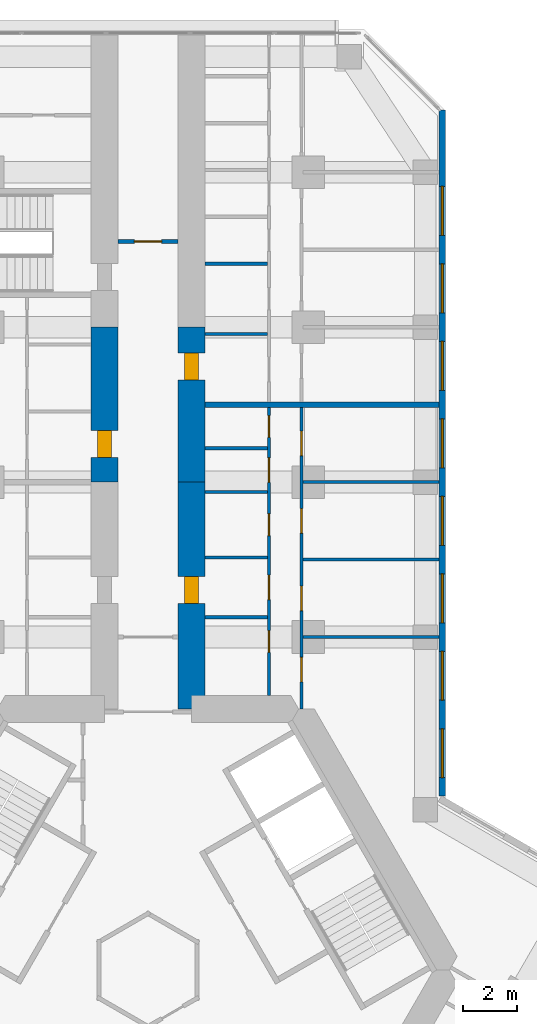
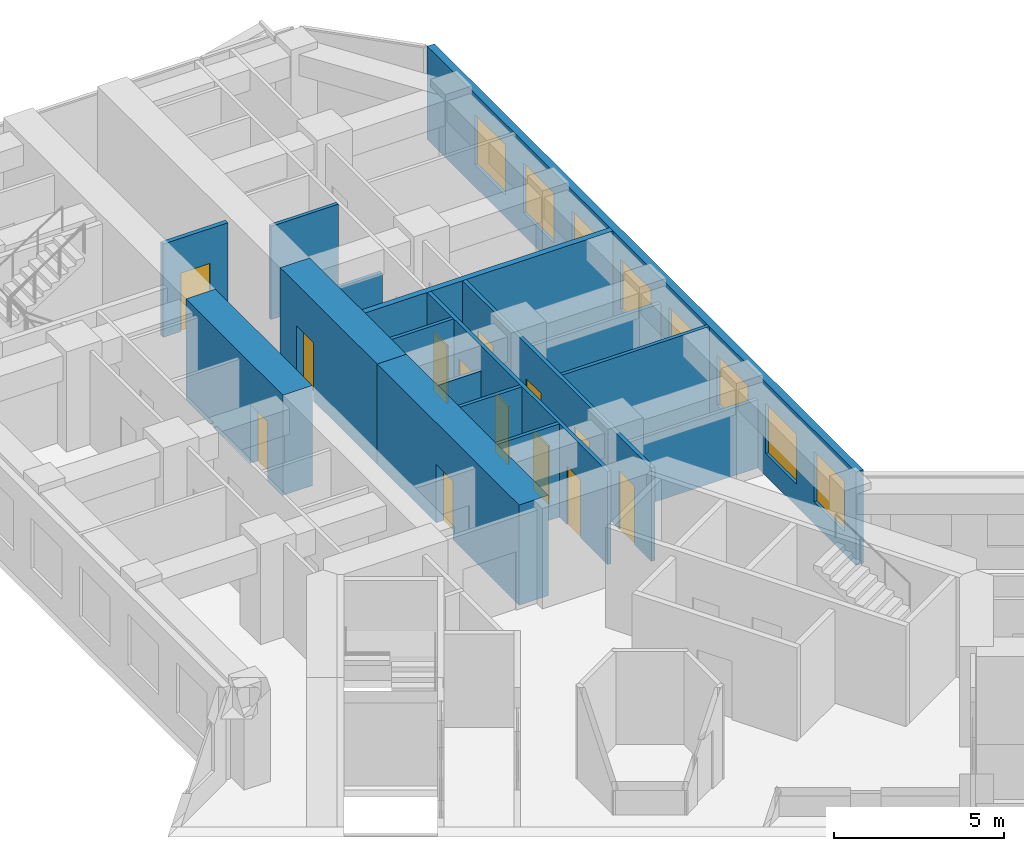
# One storey, part 18 of 21: 17 walls, 13 doors, 8 windows, 21 openings.
"""IFC4 building model written with IfcOpenShell, lengths in metres."""

from ifc_helpers import new_model, si_unit, direction, frame, frame_2d, origin, place, context, subcontext, project, spatial, rectangle, extrude, material, layer, layer_set, type_object, element, fill, save


model = new_model("IFC4")

# Units and contexts
model_context = context("Model", 3, precision=1e-05, world=origin(), true_north=direction((0.0, 1.0)))
body_context = subcontext(model_context, "Body", "Model", "MODEL_VIEW")
ifc_project = project(units=[si_unit("LENGTHUNIT", "METRE"), si_unit("AREAUNIT", "SQUARE_METRE"), si_unit("VOLUMEUNIT", "CUBIC_METRE"), si_unit("PLANEANGLEUNIT", "RADIAN"), si_unit("MASSUNIT", "GRAM", prefix="KILO")], contexts=[model_context])

# Site, building, storey
site_placement = place(None, origin())
site = spatial("IfcSite", under=ifc_project, at=site_placement, CompositionType="ELEMENT")
building_placement = place(site_placement, origin())
building = spatial("IfcBuilding", under=site, at=building_placement, Name="Kosmar Iwan School Tower", CompositionType="ELEMENT")
storey_placement = place(building_placement, frame((0.0, 0.0, 80.800048828125)))
storey = spatial("IfcBuildingStorey", under=building, at=storey_placement, Name="L19", CompositionType="ELEMENT", Elevation=80.800048828125)

# Wall, opening, door
ifc_material_1 = material(Name="Concrete C50/60", Category="concrete")
ifc_layer_1 = layer(ifc_material_1, 1.0)
ifc_layer_set_1 = layer_set([ifc_layer_1], Name="Corridor buttress wall 1000")
wall_type_1 = type_object("IfcWallType", Name="Corridor buttress wall 1000", PredefinedType="SHEAR", material=ifc_layer_set_1)
wall_1_placement = place(storey_placement, frame((-1.60009765625, 17.949951171875, 0.0), z_axis=(0.0, 0.0, 1.0), x_axis=(0.0, 1.0, 0.0)))
wall_1 = element("IfcWall", 1, at=wall_1_placement, inside=storey, type_object=wall_type_1, Name="Corridor wall AL bay 2", PredefinedType="SHEAR", context=body_context, shape_type="SweptSolid", body=[
    extrude(rectangle(XDim=5.699951171875, YDim=1.0, at=frame_2d((2.85009765625, 0.0))), origin(), (0.0, 0.0, 1.0), 3.599853515625),
])
opening_1_placement = place(wall_1_placement, frame((0.89990234375, 0.0, 0.0)))
opening_1 = element("IfcOpeningElement", 2, at=opening_1_placement, cuts=wall_1, Name="Opening D1", PredefinedType="OPENING", context=body_context, shape_type="SweptSolid", body=[
    extrude(rectangle(XDim=1.0, YDim=2.10009765625, at=frame_2d((0.5, 1.050048828125))), frame((0.0, 0.511962890625, 0.0), z_axis=(0.0, -1.0, 0.0), x_axis=(1.0, 0.0, 0.0)), (0.0, 0.0, 1.0), 1.02392578125),
])
ifc_material_2 = material(Name="Timber fire door in steel frame", Category="steel")
door_type_1 = type_object("IfcDoorType", Name="Flat entrance door 1000x2100", OperationType="SINGLE_SWING_LEFT", PredefinedType="DOOR", material=ifc_material_2)
door_1_placement = place(opening_1_placement, origin())
door_1 = element("IfcDoor", 3, at=door_1_placement, inside=storey, type_object=door_type_1, Name="Flat L19-AL2 entrance door", OperationType="SINGLE_SWING_RIGHT", OverallHeight=2.10009765625, OverallWidth=1.0, PredefinedType="DOOR", context=body_context, shape_type="SweptSolid", body=[
    extrude(rectangle(XDim=1.0, YDim=2.10009765625, at=frame_2d((0.5, 1.050048828125))), frame((0.0, 0.25, 0.0), z_axis=(0.0, -1.0, 0.0), x_axis=(1.0, 0.0, 0.0)), (0.0, 0.0, 1.0), 0.5),
])
fill(opening_1, door_1)

wall_2_placement = place(storey_placement, frame((1.60009765625, 9.60009765625, 0.0), z_axis=(0.0, 0.0, 1.0), x_axis=(0.0, 1.0, 0.0)))
wall_2 = element("IfcWall", 4, at=wall_2_placement, inside=storey, type_object=wall_type_1, Name="Corridor wall AR", PredefinedType="SHEAR", context=body_context, shape_type="SweptSolid", body=[
    extrude(rectangle(XDim=8.349853515625, YDim=1.0, at=frame_2d((4.1748046875, 0.0))), origin(), (0.0, 0.0, 1.0), 3.599853515625),
])
opening_2_placement = place(wall_2_placement, frame((3.8798828125, 0.0, 0.0)))
opening_2 = element("IfcOpeningElement", 5, at=opening_2_placement, cuts=wall_2, Name="Opening D1", PredefinedType="OPENING", context=body_context, shape_type="SweptSolid", body=[
    extrude(rectangle(XDim=1.0, YDim=2.10009765625, at=frame_2d((0.5, 1.050048828125))), frame((0.0, 0.511962890625, 0.0), z_axis=(0.0, -1.0, 0.0), x_axis=(1.0, 0.0, 0.0)), (0.0, 0.0, 1.0), 1.02392578125),
])
door_2_placement = place(opening_2_placement, origin())
door_2 = element("IfcDoor", 6, at=door_2_placement, inside=storey, type_object=door_type_1, Name="Flat L19-AR1 entrance door", OperationType="SINGLE_SWING_LEFT", OverallHeight=2.10009765625, OverallWidth=1.0, PredefinedType="DOOR", context=body_context, shape_type="SweptSolid", body=[
    extrude(rectangle(XDim=1.0, YDim=2.10009765625, at=frame_2d((0.5, 1.050048828125))), frame((0.0, 0.25, 0.0), z_axis=(0.0, -1.0, 0.0), x_axis=(1.0, 0.0, 0.0)), (0.0, 0.0, 1.0), 0.5),
])
fill(opening_2, door_2)

wall_3_placement = place(storey_placement, frame((1.60009765625, 17.949951171875, 0.0), z_axis=(0.0, 0.0, 1.0), x_axis=(0.0, 1.0, 0.0)))
wall_3 = element("IfcWall", 7, at=wall_3_placement, inside=storey, type_object=wall_type_1, Name="Corridor wall AR bay 2", PredefinedType="SHEAR", context=body_context, shape_type="SweptSolid", body=[
    extrude(rectangle(XDim=5.699951171875, YDim=1.0, at=frame_2d((2.85009765625, 0.0))), origin(), (0.0, 0.0, 1.0), 3.599853515625),
])
opening_3_placement = place(wall_3_placement, frame((3.75, 0.0, 0.0)))
opening_3 = element("IfcOpeningElement", 8, at=opening_3_placement, cuts=wall_3, Name="Opening D1", PredefinedType="OPENING", context=body_context, shape_type="SweptSolid", body=[
    extrude(rectangle(XDim=1.0, YDim=2.10009765625, at=frame_2d((0.5, 1.050048828125))), frame((0.0, 0.511962890625, 0.0), z_axis=(0.0, -1.0, 0.0), x_axis=(1.0, 0.0, 0.0)), (0.0, 0.0, 1.0), 1.02392578125),
])
door_3_placement = place(opening_3_placement, origin())
door_3 = element("IfcDoor", 9, at=door_3_placement, inside=storey, type_object=door_type_1, Name="Flat L19-AR2 entrance door", OperationType="SINGLE_SWING_RIGHT", OverallHeight=2.10009765625, OverallWidth=1.0, PredefinedType="DOOR", context=body_context, shape_type="SweptSolid", body=[
    extrude(rectangle(XDim=1.0, YDim=2.10009765625, at=frame_2d((0.5, 1.050048828125))), frame((0.0, 0.25, 0.0), z_axis=(0.0, -1.0, 0.0), x_axis=(1.0, 0.0, 0.0)), (0.0, 0.0, 1.0), 0.5),
])
fill(opening_3, door_3)

ifc_material_3 = material(Name="Gypsum board on steel studs, fire-rated", Category="steel")
ifc_layer_2 = layer(ifc_material_3, 0.14990234375)
ifc_layer_set_2 = layer_set([ifc_layer_2], Name="Corridor end wall 150")
wall_type_2 = type_object("IfcWallType", Name="Corridor end wall 150", PredefinedType="PARTITIONING", material=ifc_layer_set_2)
wall_4_placement = place(storey_placement, frame((1.10009765625, 26.800048828125, 0.0), z_axis=(0.0, 0.0, 1.0), x_axis=(-1.0, 0.0, 0.0)))
wall_4 = element("IfcWall", 10, at=wall_4_placement, inside=storey, type_object=wall_type_2, Name="Partition L19-A-CE", PredefinedType="PARTITIONING", context=body_context, shape_type="SweptSolid", body=[
    extrude(rectangle(XDim=2.2001953125, YDim=0.14990234375, at=frame_2d((1.10009765625, 0.0))), origin(), (0.0, 0.0, 1.0), 3.349853515625),
])
opening_4_placement = place(wall_4_placement, frame((0.60009765625, 0.0, 0.0)))
opening_4 = element("IfcOpeningElement", 11, at=opening_4_placement, cuts=wall_4, Name="Opening D13", PredefinedType="OPENING", context=body_context, shape_type="SweptSolid", body=[
    extrude(rectangle(XDim=1.0, YDim=2.10009765625, at=frame_2d((0.5, 1.050048828125))), frame((0.0, 0.0869140625, 0.0), z_axis=(0.0, -1.0, 0.0), x_axis=(1.0, 0.0, 0.0)), (0.0, 0.0, 1.0), 0.173828125),
])
ifc_material_4 = material(Name="Timber fire door with vision panel", Category="wood")
door_type_2 = type_object("IfcDoorType", Name="Corridor end door 1000x2100", OperationType="SINGLE_SWING_LEFT", PredefinedType="DOOR", material=ifc_material_4)
door_4_placement = place(opening_4_placement, origin())
door_4 = element("IfcDoor", 12, at=door_4_placement, inside=storey, type_object=door_type_2, Name="Laundry and drying room door L19-A", OperationType="SINGLE_SWING_RIGHT", OverallHeight=2.10009765625, OverallWidth=1.0, PredefinedType="DOOR", context=body_context, shape_type="SweptSolid", body=[
    extrude(rectangle(XDim=1.0, YDim=2.10009765625, at=frame_2d((0.5, 1.050048828125))), frame((0.0, 0.02490234375, 0.0), z_axis=(0.0, -1.0, 0.0), x_axis=(1.0, 0.0, 0.0)), (0.0, 0.0, 1.0), 0.050048828125),
])
fill(opening_4, door_4)

# Wall, openings, doors
ifc_material_5 = material(Name="Gypsum board on steel studs", Category="steel")
ifc_layer_3 = layer(ifc_material_5, 0.1201171875)
ifc_layer_set_3 = layer_set([ifc_layer_3], Name="Dwelling partition 120")
wall_type_3 = type_object("IfcWallType", Name="Dwelling partition 120", PredefinedType="PARTITIONING", material=ifc_layer_set_3)
wall_5_placement = place(storey_placement, frame((4.449951171875, 10.10009765625, 0.0), z_axis=(0.0, 0.0, 1.0), x_axis=(0.0, 1.0, 0.0)))
wall_5 = element("IfcWall", 13, at=wall_5_placement, inside=storey, type_object=wall_type_3, Name="Partition L19-AR1-W1", PredefinedType="PARTITIONING", context=body_context, shape_type="SweptSolid", body=[
    extrude(rectangle(XDim=10.599853515625, YDim=0.1201171875, at=frame_2d((5.2998046875, 0.0))), origin(), (0.0, 0.0, 1.0), 3.349853515625),
])
opening_5_placement = place(wall_5_placement, frame((1.590087890625, 0.0, 0.0)))
opening_5 = element("IfcOpeningElement", 14, at=opening_5_placement, cuts=wall_5, Name="Opening D3", PredefinedType="OPENING", context=body_context, shape_type="SweptSolid", body=[
    extrude(rectangle(XDim=0.800048828125, YDim=2.10009765625, at=frame_2d((0.39990234375, 1.050048828125))), frame((0.0, 0.072021484375, 0.0), z_axis=(0.0, -1.0, 0.0), x_axis=(1.0, 0.0, 0.0)), (0.0, 0.0, 1.0), 0.14404296875),
])
opening_6_placement = place(wall_5_placement, frame((3.530029296875, 0.0, 0.0)))
opening_6 = element("IfcOpeningElement", 15, at=opening_6_placement, cuts=wall_5, Name="Opening D2", PredefinedType="OPENING", context=body_context, shape_type="SweptSolid", body=[
    extrude(rectangle(XDim=0.89990234375, YDim=2.10009765625, at=frame_2d((0.449951171875, 1.050048828125))), frame((0.0, 0.072021484375, 0.0), z_axis=(0.0, -1.0, 0.0), x_axis=(1.0, 0.0, 0.0)), (0.0, 0.0, 1.0), 0.14404296875),
])
opening_7_placement = place(wall_5_placement, frame((5.88427734375, 0.0, 0.0)))
opening_7 = element("IfcOpeningElement", 16, at=opening_7_placement, cuts=wall_5, Name="Opening D3", PredefinedType="OPENING", context=body_context, shape_type="SweptSolid", body=[
    extrude(rectangle(XDim=0.800048828125, YDim=2.10009765625, at=frame_2d((0.39990234375, 1.050048828125))), frame((0.0, 0.072021484375, 0.0), z_axis=(0.0, -1.0, 0.0), x_axis=(1.0, 0.0, 0.0)), (0.0, 0.0, 1.0), 0.14404296875),
])
opening_8_placement = place(wall_5_placement, frame((7.841552734375, 0.0, 0.0)))
opening_8 = element("IfcOpeningElement", 17, at=opening_8_placement, cuts=wall_5, Name="Opening D2", PredefinedType="OPENING", context=body_context, shape_type="SweptSolid", body=[
    extrude(rectangle(XDim=0.89990234375, YDim=2.10009765625, at=frame_2d((0.449951171875, 1.050048828125))), frame((0.0, 0.072021484375, 0.0), z_axis=(0.0, -1.0, 0.0), x_axis=(1.0, 0.0, 0.0)), (0.0, 0.0, 1.0), 0.14404296875),
])
opening_9_placement = place(wall_5_placement, frame((9.4970703125, 0.0, 0.0)))
opening_9 = element("IfcOpeningElement", 18, at=opening_9_placement, cuts=wall_5, Name="Opening D3", PredefinedType="OPENING", context=body_context, shape_type="SweptSolid", body=[
    extrude(rectangle(XDim=0.800048828125, YDim=2.10009765625, at=frame_2d((0.39990234375, 1.050048828125))), frame((0.0, 0.072021484375, 0.0), z_axis=(0.0, -1.0, 0.0), x_axis=(1.0, 0.0, 0.0)), (0.0, 0.0, 1.0), 0.14404296875),
])
ifc_material_6 = material(Name="Timber door in timber frame", Category="wood")
door_type_3 = type_object("IfcDoorType", Name="Internal door 900x2100", OperationType="SINGLE_SWING_LEFT", PredefinedType="DOOR", material=ifc_material_6)
door_5_placement = place(opening_6_placement, origin())
door_5 = element("IfcDoor", 19, at=door_5_placement, inside=storey, type_object=door_type_3, Name="Entrance hall door L19-AR1-S2", OperationType="SINGLE_SWING_RIGHT", OverallHeight=2.10009765625, OverallWidth=0.89990234375, PredefinedType="DOOR", context=body_context, shape_type="SweptSolid", body=[
    extrude(rectangle(XDim=0.89990234375, YDim=2.10009765625, at=frame_2d((0.449951171875, 1.050048828125))), frame((0.0, 0.02490234375, 0.0), z_axis=(0.0, -1.0, 0.0), x_axis=(1.0, 0.0, 0.0)), (0.0, 0.0, 1.0), 0.050048828125),
])
fill(opening_6, door_5)
door_6_placement = place(opening_8_placement, origin())
door_6 = element("IfcDoor", 20, at=door_6_placement, inside=storey, type_object=door_type_3, Name="Pantry door L19-AR1-S4", OperationType="SINGLE_SWING_RIGHT", OverallHeight=2.10009765625, OverallWidth=0.89990234375, PredefinedType="DOOR", context=body_context, shape_type="SweptSolid", body=[
    extrude(rectangle(XDim=0.89990234375, YDim=2.10009765625, at=frame_2d((0.449951171875, 1.050048828125))), frame((0.0, 0.02490234375, 0.0), z_axis=(0.0, -1.0, 0.0), x_axis=(1.0, 0.0, 0.0)), (0.0, 0.0, 1.0), 0.050048828125),
])
fill(opening_8, door_6)
ifc_material_7 = material(Name="Timber door in timber frame", Category="wood")
door_type_4 = type_object("IfcDoorType", Name="Sanitary room door 800x2100", OperationType="SINGLE_SWING_LEFT", PredefinedType="DOOR", material=ifc_material_7)
door_7_placement = place(opening_5_placement, origin())
door_7 = element("IfcDoor", 21, at=door_7_placement, inside=storey, type_object=door_type_4, Name="WC door L19-AR1-S1", OperationType="SINGLE_SWING_RIGHT", OverallHeight=2.10009765625, OverallWidth=0.800048828125, PredefinedType="DOOR", context=body_context, shape_type="SweptSolid", body=[
    extrude(rectangle(XDim=0.800048828125, YDim=2.10009765625, at=frame_2d((0.39990234375, 1.050048828125))), frame((0.0, 0.02490234375, 0.0), z_axis=(0.0, -1.0, 0.0), x_axis=(1.0, 0.0, 0.0)), (0.0, 0.0, 1.0), 0.050048828125),
])
fill(opening_5, door_7)
door_8_placement = place(opening_7_placement, origin())
door_8 = element("IfcDoor", 22, at=door_8_placement, inside=storey, type_object=door_type_4, Name="Bathroom door L19-AR1-S3", OperationType="SINGLE_SWING_LEFT", OverallHeight=2.10009765625, OverallWidth=0.800048828125, PredefinedType="DOOR", context=body_context, shape_type="SweptSolid", body=[
    extrude(rectangle(XDim=0.800048828125, YDim=2.10009765625, at=frame_2d((0.39990234375, 1.050048828125))), frame((0.0, 0.02490234375, 0.0), z_axis=(0.0, -1.0, 0.0), x_axis=(1.0, 0.0, 0.0)), (0.0, 0.0, 1.0), 0.050048828125),
])
fill(opening_7, door_8)
door_9_placement = place(opening_9_placement, origin())
door_9 = element("IfcDoor", 23, at=door_9_placement, inside=storey, type_object=door_type_4, Name="Store door L19-AR1-S5", OperationType="SINGLE_SWING_RIGHT", OverallHeight=2.10009765625, OverallWidth=0.800048828125, PredefinedType="DOOR", context=body_context, shape_type="SweptSolid", body=[
    extrude(rectangle(XDim=0.800048828125, YDim=2.10009765625, at=frame_2d((0.39990234375, 1.050048828125))), frame((0.0, 0.02490234375, 0.0), z_axis=(0.0, -1.0, 0.0), x_axis=(1.0, 0.0, 0.0)), (0.0, 0.0, 1.0), 0.050048828125),
])
fill(opening_9, door_9)

wall_6_placement = place(storey_placement, frame((5.64990234375, 9.60009765625, 0.0), z_axis=(0.0, 0.0, 1.0), x_axis=(0.0, 1.0, 0.0)))
wall_6 = element("IfcWall", 24, at=wall_6_placement, inside=storey, type_object=wall_type_3, Name="Partition L19-AR1-W2", PredefinedType="PARTITIONING", context=body_context, shape_type="SweptSolid", body=[
    extrude(rectangle(XDim=11.099853515625, YDim=0.1201171875, at=frame_2d((5.5498046875, 0.0))), origin(), (0.0, 0.0, 1.0), 3.349853515625),
])
opening_10_placement = place(wall_6_placement, frame((1.0, 0.0, 0.0)))
opening_10 = element("IfcOpeningElement", 25, at=opening_10_placement, cuts=wall_6, Name="Opening D2", PredefinedType="OPENING", context=body_context, shape_type="SweptSolid", body=[
    extrude(rectangle(XDim=0.89990234375, YDim=2.10009765625, at=frame_2d((0.449951171875, 1.050048828125))), frame((0.0, 0.072021484375, 0.0), z_axis=(0.0, -1.0, 0.0), x_axis=(1.0, 0.0, 0.0)), (0.0, 0.0, 1.0), 0.14404296875),
])
opening_11_placement = place(wall_6_placement, frame((3.625, 0.0, 0.0)))
opening_11 = element("IfcOpeningElement", 26, at=opening_11_placement, cuts=wall_6, Name="Opening D2", PredefinedType="OPENING", context=body_context, shape_type="SweptSolid", body=[
    extrude(rectangle(XDim=0.89990234375, YDim=2.10009765625, at=frame_2d((0.449951171875, 1.050048828125))), frame((0.0, 0.072021484375, 0.0), z_axis=(0.0, -1.0, 0.0), x_axis=(1.0, 0.0, 0.0)), (0.0, 0.0, 1.0), 0.14404296875),
])
opening_12_placement = place(wall_6_placement, frame((6.47509765625, 0.0, 0.0)))
opening_12 = element("IfcOpeningElement", 27, at=opening_12_placement, cuts=wall_6, Name="Opening D2", PredefinedType="OPENING", context=body_context, shape_type="SweptSolid", body=[
    extrude(rectangle(XDim=0.89990234375, YDim=2.10009765625, at=frame_2d((0.449951171875, 1.050048828125))), frame((0.0, 0.072021484375, 0.0), z_axis=(0.0, -1.0, 0.0), x_axis=(1.0, 0.0, 0.0)), (0.0, 0.0, 1.0), 0.14404296875),
])
opening_13_placement = place(wall_6_placement, frame((9.324951171875, 0.0, 0.0)))
opening_13 = element("IfcOpeningElement", 28, at=opening_13_placement, cuts=wall_6, Name="Opening D2", PredefinedType="OPENING", context=body_context, shape_type="SweptSolid", body=[
    extrude(rectangle(XDim=0.89990234375, YDim=2.10009765625, at=frame_2d((0.449951171875, 1.050048828125))), frame((0.0, 0.072021484375, 0.0), z_axis=(0.0, -1.0, 0.0), x_axis=(1.0, 0.0, 0.0)), (0.0, 0.0, 1.0), 0.14404296875),
])
door_10_placement = place(opening_10_placement, origin())
door_10 = element("IfcDoor", 29, at=door_10_placement, inside=storey, type_object=door_type_3, Name="Living room and kitchen door L19-AR1-F1", OperationType="SINGLE_SWING_LEFT", OverallHeight=2.10009765625, OverallWidth=0.89990234375, PredefinedType="DOOR", context=body_context, shape_type="SweptSolid", body=[
    extrude(rectangle(XDim=0.89990234375, YDim=2.10009765625, at=frame_2d((0.449951171875, 1.050048828125))), frame((0.0, 0.02490234375, 0.0), z_axis=(0.0, -1.0, 0.0), x_axis=(1.0, 0.0, 0.0)), (0.0, 0.0, 1.0), 0.050048828125),
])
fill(opening_10, door_10)
door_11_placement = place(opening_11_placement, origin())
door_11 = element("IfcDoor", 30, at=door_11_placement, inside=storey, type_object=door_type_3, Name="Study door L19-AR1-F2", OperationType="SINGLE_SWING_LEFT", OverallHeight=2.10009765625, OverallWidth=0.89990234375, PredefinedType="DOOR", context=body_context, shape_type="SweptSolid", body=[
    extrude(rectangle(XDim=0.89990234375, YDim=2.10009765625, at=frame_2d((0.449951171875, 1.050048828125))), frame((0.0, 0.02490234375, 0.0), z_axis=(0.0, -1.0, 0.0), x_axis=(1.0, 0.0, 0.0)), (0.0, 0.0, 1.0), 0.050048828125),
])
fill(opening_11, door_11)
door_12_placement = place(opening_12_placement, origin())
door_12 = element("IfcDoor", 31, at=door_12_placement, inside=storey, type_object=door_type_3, Name="Bedroom 1 door L19-AR1-F3", OperationType="SINGLE_SWING_RIGHT", OverallHeight=2.10009765625, OverallWidth=0.89990234375, PredefinedType="DOOR", context=body_context, shape_type="SweptSolid", body=[
    extrude(rectangle(XDim=0.89990234375, YDim=2.10009765625, at=frame_2d((0.449951171875, 1.050048828125))), frame((0.0, 0.02490234375, 0.0), z_axis=(0.0, -1.0, 0.0), x_axis=(1.0, 0.0, 0.0)), (0.0, 0.0, 1.0), 0.050048828125),
])
fill(opening_12, door_12)
door_13_placement = place(opening_13_placement, origin())
door_13 = element("IfcDoor", 32, at=door_13_placement, inside=storey, type_object=door_type_3, Name="Winter garden door L19-AR1-F4", OperationType="SINGLE_SWING_RIGHT", OverallHeight=2.10009765625, OverallWidth=0.89990234375, PredefinedType="DOOR", context=body_context, shape_type="SweptSolid", body=[
    extrude(rectangle(XDim=0.89990234375, YDim=2.10009765625, at=frame_2d((0.449951171875, 1.050048828125))), frame((0.0, 0.02490234375, 0.0), z_axis=(0.0, -1.0, 0.0), x_axis=(1.0, 0.0, 0.0)), (0.0, 0.0, 1.0), 0.050048828125),
])
fill(opening_13, door_13)

# Walls
wall_7_placement = place(storey_placement, frame((5.7099609375, 12.25, 0.0), z_axis=(0.0, 0.0, 1.0), x_axis=(1.0, 0.0, 0.0)))
element("IfcWall", 33, at=wall_7_placement, inside=storey, type_object=wall_type_3, Name="Partition L19-AR1-X1", PredefinedType="PARTITIONING", context=body_context, shape_type="SweptSolid", body=[
    extrude(rectangle(XDim=4.989990234375, YDim=0.1201171875, at=frame_2d((2.4951171875, 0.0))), origin(), (0.0, 0.0, 1.0), 2.449951171875),
])
wall_8_placement = place(storey_placement, frame((5.7099609375, 15.10009765625, 0.0), z_axis=(0.0, 0.0, 1.0), x_axis=(1.0, 0.0, 0.0)))
element("IfcWall", 34, at=wall_8_placement, inside=storey, type_object=wall_type_3, Name="Partition L19-AR1-X2", PredefinedType="PARTITIONING", context=body_context, shape_type="SweptSolid", body=[
    extrude(rectangle(XDim=4.989990234375, YDim=0.1201171875, at=frame_2d((2.4951171875, 0.0))), origin(), (0.0, 0.0, 1.0), 3.349853515625),
])
wall_9_placement = place(storey_placement, frame((5.7099609375, 17.949951171875, 0.0), z_axis=(0.0, 0.0, 1.0), x_axis=(1.0, 0.0, 0.0)))
element("IfcWall", 35, at=wall_9_placement, inside=storey, type_object=wall_type_3, Name="Partition L19-AR1-X3", PredefinedType="PARTITIONING", context=body_context, shape_type="SweptSolid", body=[
    extrude(rectangle(XDim=4.989990234375, YDim=0.1201171875, at=frame_2d((2.4951171875, 0.0))), origin(), (0.0, 0.0, 1.0), 2.449951171875),
])
for number, where, z_axis, x_axis, name in (
    (36, (2.10009765625, 12.97998046875, 0.0), (0.0, 0.0, 1.0), (1.0, 0.0, 0.0), "Partition L19-AR1-Y1"),
    (37, (2.10009765625, 15.179931640625, 0.0), (0.0, 0.0, 1.0), (1.0, 0.0, 0.0), "Partition L19-AR1-Y2"),
):
    element("IfcWall", number, at=place(storey_placement, frame(where, z_axis=z_axis, x_axis=x_axis)), inside=storey, type_object=wall_type_3, Name=name, PredefinedType="PARTITIONING", context=body_context, shape_type="SweptSolid", body=[
        extrude(rectangle(XDim=2.289794921875, YDim=0.1201171875, at=frame_2d((1.14501953125, 0.0))), origin(), (0.0, 0.0, 1.0), 3.349853515625),
    ])
wall_10_placement = place(storey_placement, frame((2.10009765625, 17.588623046875, 0.0), z_axis=(0.0, 0.0, 1.0), x_axis=(1.0, 0.0, 0.0)))
element("IfcWall", 38, at=wall_10_placement, inside=storey, type_object=wall_type_3, Name="Partition L19-AR1-Y3", PredefinedType="PARTITIONING", context=body_context, shape_type="SweptSolid", body=[
    extrude(rectangle(XDim=2.289794921875, YDim=0.1201171875, at=frame_2d((1.14501953125, 0.0))), origin(), (0.0, 0.0, 1.0), 2.449951171875),
])
wall_11_placement = place(storey_placement, frame((2.10009765625, 19.1943359375, 0.0), z_axis=(0.0, 0.0, 1.0), x_axis=(1.0, 0.0, 0.0)))
element("IfcWall", 39, at=wall_11_placement, inside=storey, type_object=wall_type_3, Name="Partition L19-AR1-Y4", PredefinedType="PARTITIONING", context=body_context, shape_type="SweptSolid", body=[
    extrude(rectangle(XDim=2.289794921875, YDim=0.1201171875, at=frame_2d((1.14501953125, 0.0))), origin(), (0.0, 0.0, 1.0), 3.349853515625),
])
wall_12_placement = place(storey_placement, frame((2.10009765625, 23.39990234375, 0.0), z_axis=(0.0, 0.0, 1.0), x_axis=(1.0, 0.0, 0.0)))
element("IfcWall", 40, at=wall_12_placement, inside=storey, type_object=wall_type_3, Name="Partition L19-AR2-Y1", PredefinedType="PARTITIONING", context=body_context, shape_type="SweptSolid", body=[
    extrude(rectangle(XDim=2.289794921875, YDim=0.1201171875, at=frame_2d((1.14501953125, 0.0))), origin(), (0.0, 0.0, 1.0), 2.449951171875),
])
wall_13_placement = place(storey_placement, frame((2.10009765625, 25.984619140625, 0.0), z_axis=(0.0, 0.0, 1.0), x_axis=(1.0, 0.0, 0.0)))
element("IfcWall", 41, at=wall_13_placement, inside=storey, type_object=wall_type_3, Name="Partition L19-AR2-Y2", PredefinedType="PARTITIONING", context=body_context, shape_type="SweptSolid", body=[
    extrude(rectangle(XDim=2.289794921875, YDim=0.1201171875, at=frame_2d((1.14501953125, 0.0))), origin(), (0.0, 0.0, 1.0), 3.349853515625),
])

# Wall, openings, windows
ifc_material_8 = material(Name="Black aluminium rainscreen on insulated framing", Category="aluminium")
ifc_layer_4 = layer(ifc_material_8, 0.25)
ifc_layer_set_4 = layer_set([ifc_layer_4], Name="External wall rainscreen 250")
wall_type_4 = type_object("IfcWallType", Name="External wall rainscreen 250", PredefinedType="SOLIDWALL", material=ifc_layer_set_4)
wall_14_placement = place(storey_placement, frame((10.824951171875, 6.408935546875, 0.0), z_axis=(0.0, 0.0, 1.0), x_axis=(0.0, 1.0, 0.0)))
wall_14 = element("IfcWall", 42, at=wall_14_placement, inside=storey, type_object=wall_type_4, Name="External wall AR L19", PredefinedType="SOLIDWALL", context=body_context, shape_type="SweptSolid", body=[
    extrude(rectangle(XDim=25.226318359375, YDim=0.25, at=frame_2d((12.61328125, 0.0))), origin(), (0.0, 0.0, 1.0), 3.349853515625),
])
opening_14_placement = place(wall_14_placement, frame((0.666015625, 0.0, 0.800048828125)))
opening_14 = element("IfcOpeningElement", 43, at=opening_14_placement, cuts=wall_14, Name="Opening W1", PredefinedType="OPENING", context=body_context, shape_type="SweptSolid", body=[
    extrude(rectangle(XDim=1.800048828125, YDim=1.800048828125, at=frame_2d((0.89990234375, 0.89990234375))), frame((0.0, 0.136962890625, 0.0), z_axis=(0.0, -1.0, 0.0), x_axis=(1.0, 0.0, 0.0)), (0.0, 0.0, 1.0), 0.27392578125),
])
opening_15_placement = place(wall_14_placement, frame((3.51611328125, 0.0, 0.800048828125)))
opening_15 = element("IfcOpeningElement", 44, at=opening_15_placement, cuts=wall_14, Name="Opening W1", PredefinedType="OPENING", context=body_context, shape_type="SweptSolid", body=[
    extrude(rectangle(XDim=1.800048828125, YDim=1.800048828125, at=frame_2d((0.89990234375, 0.89990234375))), frame((0.0, 0.136962890625, 0.0), z_axis=(0.0, -1.0, 0.0), x_axis=(1.0, 0.0, 0.0)), (0.0, 0.0, 1.0), 0.27392578125),
])
opening_16_placement = place(wall_14_placement, frame((6.365966796875, 0.0, 0.800048828125)))
opening_16 = element("IfcOpeningElement", 45, at=opening_16_placement, cuts=wall_14, Name="Opening W1", PredefinedType="OPENING", context=body_context, shape_type="SweptSolid", body=[
    extrude(rectangle(XDim=1.800048828125, YDim=1.800048828125, at=frame_2d((0.89990234375, 0.89990234375))), frame((0.0, 0.136962890625, 0.0), z_axis=(0.0, -1.0, 0.0), x_axis=(1.0, 0.0, 0.0)), (0.0, 0.0, 1.0), 0.27392578125),
])
opening_17_placement = place(wall_14_placement, frame((9.216064453125, 0.0, 0.800048828125)))
opening_17 = element("IfcOpeningElement", 46, at=opening_17_placement, cuts=wall_14, Name="Opening W1", PredefinedType="OPENING", context=body_context, shape_type="SweptSolid", body=[
    extrude(rectangle(XDim=1.800048828125, YDim=1.800048828125, at=frame_2d((0.89990234375, 0.89990234375))), frame((0.0, 0.136962890625, 0.0), z_axis=(0.0, -1.0, 0.0), x_axis=(1.0, 0.0, 0.0)), (0.0, 0.0, 1.0), 0.27392578125),
])
opening_18_placement = place(wall_14_placement, frame((12.06591796875, 0.0, 0.800048828125)))
opening_18 = element("IfcOpeningElement", 47, at=opening_18_placement, cuts=wall_14, Name="Opening W1", PredefinedType="OPENING", context=body_context, shape_type="SweptSolid", body=[
    extrude(rectangle(XDim=1.800048828125, YDim=1.800048828125, at=frame_2d((0.89990234375, 0.89990234375))), frame((0.0, 0.136962890625, 0.0), z_axis=(0.0, -1.0, 0.0), x_axis=(1.0, 0.0, 0.0)), (0.0, 0.0, 1.0), 0.27392578125),
])
opening_19_placement = place(wall_14_placement, frame((14.916015625, 0.0, 0.800048828125)))
opening_19 = element("IfcOpeningElement", 48, at=opening_19_placement, cuts=wall_14, Name="Opening W1", PredefinedType="OPENING", context=body_context, shape_type="SweptSolid", body=[
    extrude(rectangle(XDim=1.800048828125, YDim=1.800048828125, at=frame_2d((0.89990234375, 0.89990234375))), frame((0.0, 0.136962890625, 0.0), z_axis=(0.0, -1.0, 0.0), x_axis=(1.0, 0.0, 0.0)), (0.0, 0.0, 1.0), 0.27392578125),
])
opening_20_placement = place(wall_14_placement, frame((17.76611328125, 0.0, 0.800048828125)))
opening_20 = element("IfcOpeningElement", 49, at=opening_20_placement, cuts=wall_14, Name="Opening W1", PredefinedType="OPENING", context=body_context, shape_type="SweptSolid", body=[
    extrude(rectangle(XDim=1.800048828125, YDim=1.800048828125, at=frame_2d((0.89990234375, 0.89990234375))), frame((0.0, 0.136962890625, 0.0), z_axis=(0.0, -1.0, 0.0), x_axis=(1.0, 0.0, 0.0)), (0.0, 0.0, 1.0), 0.27392578125),
])
opening_21_placement = place(wall_14_placement, frame((20.615966796875, 0.0, 0.800048828125)))
opening_21 = element("IfcOpeningElement", 50, at=opening_21_placement, cuts=wall_14, Name="Opening W1", PredefinedType="OPENING", context=body_context, shape_type="SweptSolid", body=[
    extrude(rectangle(XDim=1.800048828125, YDim=1.800048828125, at=frame_2d((0.89990234375, 0.89990234375))), frame((0.0, 0.136962890625, 0.0), z_axis=(0.0, -1.0, 0.0), x_axis=(1.0, 0.0, 0.0)), (0.0, 0.0, 1.0), 0.27392578125),
])
ifc_material_9 = material(Name="Black aluminium frame with dark triple glazing", Category="aluminium")
window_type = type_object("IfcWindowType", Name="Window 1800x1800", PartitioningType="SINGLE_PANEL", PredefinedType="WINDOW", material=ifc_material_9)
window_1_placement = place(opening_14_placement, origin())
window_1 = element("IfcWindow", 51, at=window_1_placement, inside=storey, type_object=window_type, Name="Window AR L19 -1", OverallHeight=1.800048828125, OverallWidth=1.800048828125, PartitioningType="SINGLE_PANEL", PredefinedType="WINDOW", context=body_context, shape_type="SweptSolid", body=[
    extrude(rectangle(XDim=1.800048828125, YDim=1.800048828125, at=frame_2d((0.89990234375, 0.89990234375))), frame((0.0, 0.030029296875, 0.0), z_axis=(0.0, -1.0, 0.0), x_axis=(1.0, 0.0, 0.0)), (0.0, 0.0, 1.0), 0.06005859375),
])
fill(opening_14, window_1)
window_2_placement = place(opening_15_placement, origin())
window_2 = element("IfcWindow", 52, at=window_2_placement, inside=storey, type_object=window_type, Name="Window AR L19 0", OverallHeight=1.800048828125, OverallWidth=1.800048828125, PartitioningType="SINGLE_PANEL", PredefinedType="WINDOW", context=body_context, shape_type="SweptSolid", body=[
    extrude(rectangle(XDim=1.800048828125, YDim=1.800048828125, at=frame_2d((0.89990234375, 0.89990234375))), frame((0.0, 0.030029296875, 0.0), z_axis=(0.0, -1.0, 0.0), x_axis=(1.0, 0.0, 0.0)), (0.0, 0.0, 1.0), 0.06005859375),
])
fill(opening_15, window_2)
window_3_placement = place(opening_16_placement, origin())
window_3 = element("IfcWindow", 53, at=window_3_placement, inside=storey, type_object=window_type, Name="Window AR L19 1", OverallHeight=1.800048828125, OverallWidth=1.800048828125, PartitioningType="SINGLE_PANEL", PredefinedType="WINDOW", context=body_context, shape_type="SweptSolid", body=[
    extrude(rectangle(XDim=1.800048828125, YDim=1.800048828125, at=frame_2d((0.89990234375, 0.89990234375))), frame((0.0, 0.030029296875, 0.0), z_axis=(0.0, -1.0, 0.0), x_axis=(1.0, 0.0, 0.0)), (0.0, 0.0, 1.0), 0.06005859375),
])
fill(opening_16, window_3)
window_4_placement = place(opening_17_placement, origin())
window_4 = element("IfcWindow", 54, at=window_4_placement, inside=storey, type_object=window_type, Name="Window AR L19 2", OverallHeight=1.800048828125, OverallWidth=1.800048828125, PartitioningType="SINGLE_PANEL", PredefinedType="WINDOW", context=body_context, shape_type="SweptSolid", body=[
    extrude(rectangle(XDim=1.800048828125, YDim=1.800048828125, at=frame_2d((0.89990234375, 0.89990234375))), frame((0.0, 0.030029296875, 0.0), z_axis=(0.0, -1.0, 0.0), x_axis=(1.0, 0.0, 0.0)), (0.0, 0.0, 1.0), 0.06005859375),
])
fill(opening_17, window_4)
window_5_placement = place(opening_18_placement, origin())
window_5 = element("IfcWindow", 55, at=window_5_placement, inside=storey, type_object=window_type, Name="Window AR L19 3", OverallHeight=1.800048828125, OverallWidth=1.800048828125, PartitioningType="SINGLE_PANEL", PredefinedType="WINDOW", context=body_context, shape_type="SweptSolid", body=[
    extrude(rectangle(XDim=1.800048828125, YDim=1.800048828125, at=frame_2d((0.89990234375, 0.89990234375))), frame((0.0, 0.030029296875, 0.0), z_axis=(0.0, -1.0, 0.0), x_axis=(1.0, 0.0, 0.0)), (0.0, 0.0, 1.0), 0.06005859375),
])
fill(opening_18, window_5)
window_6_placement = place(opening_19_placement, origin())
window_6 = element("IfcWindow", 56, at=window_6_placement, inside=storey, type_object=window_type, Name="Window AR L19 4", OverallHeight=1.800048828125, OverallWidth=1.800048828125, PartitioningType="SINGLE_PANEL", PredefinedType="WINDOW", context=body_context, shape_type="SweptSolid", body=[
    extrude(rectangle(XDim=1.800048828125, YDim=1.800048828125, at=frame_2d((0.89990234375, 0.89990234375))), frame((0.0, 0.030029296875, 0.0), z_axis=(0.0, -1.0, 0.0), x_axis=(1.0, 0.0, 0.0)), (0.0, 0.0, 1.0), 0.06005859375),
])
fill(opening_19, window_6)
window_7_placement = place(opening_20_placement, origin())
window_7 = element("IfcWindow", 57, at=window_7_placement, inside=storey, type_object=window_type, Name="Window AR L19 5", OverallHeight=1.800048828125, OverallWidth=1.800048828125, PartitioningType="SINGLE_PANEL", PredefinedType="WINDOW", context=body_context, shape_type="SweptSolid", body=[
    extrude(rectangle(XDim=1.800048828125, YDim=1.800048828125, at=frame_2d((0.89990234375, 0.89990234375))), frame((0.0, 0.030029296875, 0.0), z_axis=(0.0, -1.0, 0.0), x_axis=(1.0, 0.0, 0.0)), (0.0, 0.0, 1.0), 0.06005859375),
])
fill(opening_20, window_7)
window_8_placement = place(opening_21_placement, origin())
window_8 = element("IfcWindow", 58, at=window_8_placement, inside=storey, type_object=window_type, Name="Window AR L19 6", OverallHeight=1.800048828125, OverallWidth=1.800048828125, PartitioningType="SINGLE_PANEL", PredefinedType="WINDOW", context=body_context, shape_type="SweptSolid", body=[
    extrude(rectangle(XDim=1.800048828125, YDim=1.800048828125, at=frame_2d((0.89990234375, 0.89990234375))), frame((0.0, 0.030029296875, 0.0), z_axis=(0.0, -1.0, 0.0), x_axis=(1.0, 0.0, 0.0)), (0.0, 0.0, 1.0), 0.06005859375),
])
fill(opening_21, window_8)

# Wall
ifc_material_10 = material(Name="Concrete block masonry", Category="masonry")
ifc_layer_5 = layer(ifc_material_10, 0.199951171875)
ifc_layer_set_5 = layer_set([ifc_layer_5], Name="Party wall 200")
wall_type_5 = type_object("IfcWallType", Name="Party wall 200", PredefinedType="PARTITIONING", material=ifc_layer_set_5)
wall_15_placement = place(storey_placement, frame((2.10009765625, 20.800048828125, 0.0), z_axis=(0.0, 0.0, 1.0), x_axis=(1.0, 0.0, 0.0)))
element("IfcWall", 59, at=wall_15_placement, inside=storey, type_object=wall_type_5, Name="Partition L19-AR2-PW", PredefinedType="PARTITIONING", context=body_context, shape_type="SweptSolid", body=[
    extrude(rectangle(XDim=8.599853515625, YDim=0.199951171875, at=frame_2d((4.2998046875, 0.0))), origin(), (0.0, 0.0, 1.0), 3.349853515625),
])

save(model, "model.ifc")
